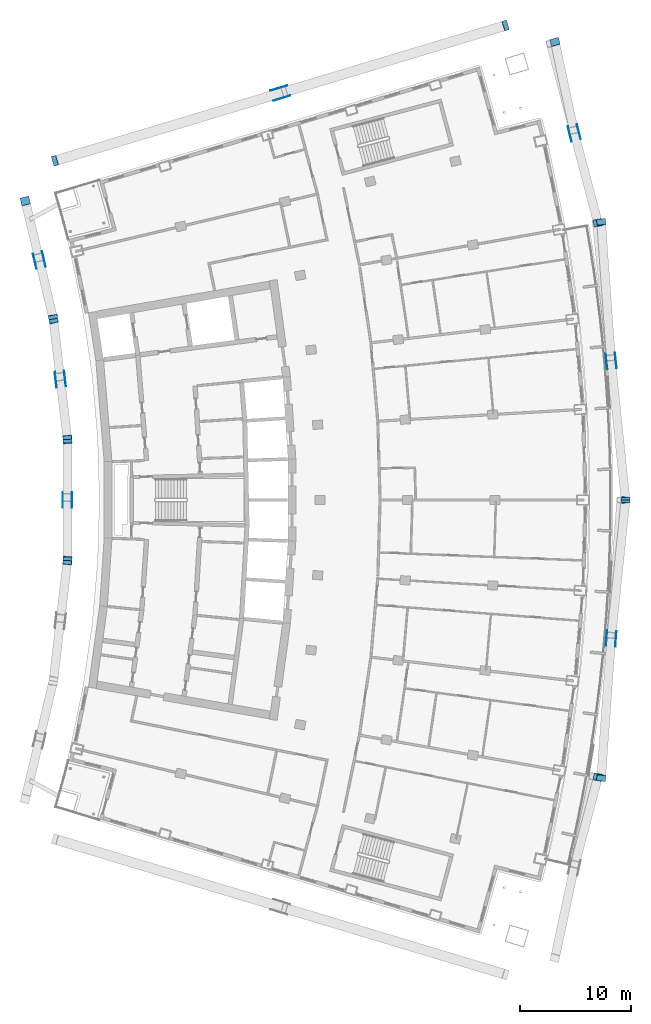
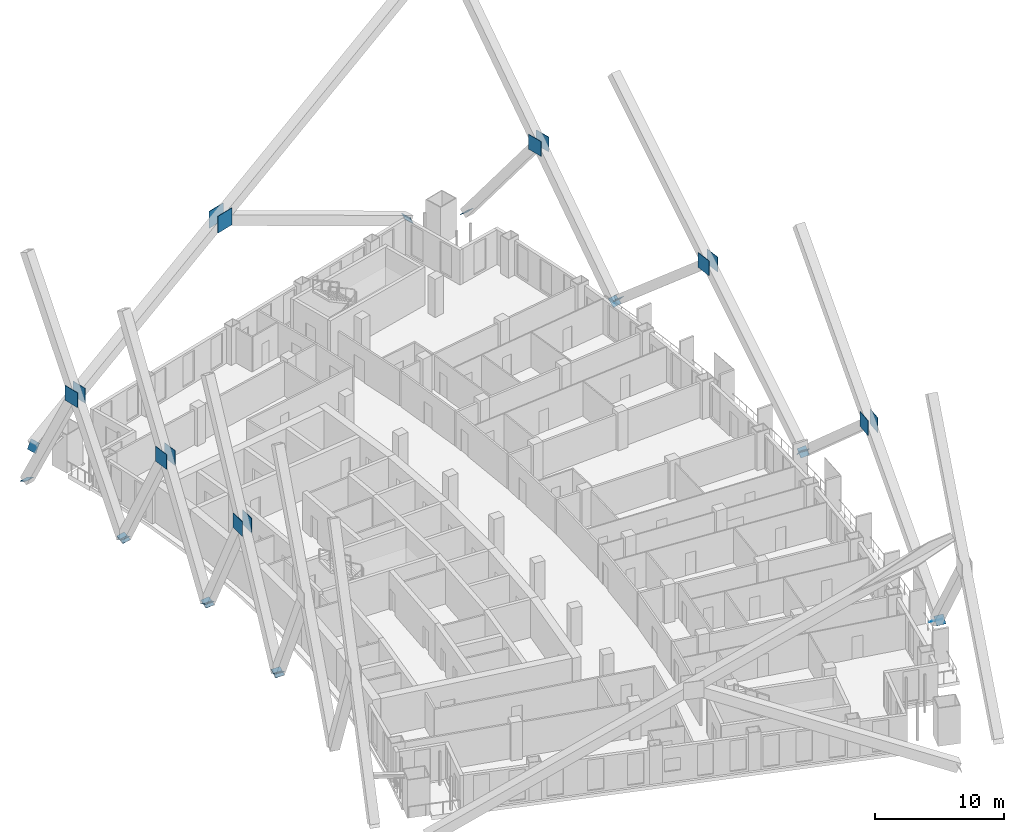
# One storey, part 19 of 22: 30 discrete accessories.
"""IFC4 building model written with IfcOpenShell, lengths in metres."""

from ifc_helpers import new_model, si_unit, direction, frame, origin, origin_2d, place, context, subcontext, project, spatial, rectangle, extrude, material, material_profile, profile_set, type_object, element, save


model = new_model("IFC4")

# Units and contexts
model_context = context("Model", 3, precision=1e-05, world=origin(), true_north=direction((0.0, 1.0)))
body_context = subcontext(model_context, "Body", "Model", "MODEL_VIEW")
ifc_project = project(units=[si_unit("LENGTHUNIT", "METRE"), si_unit("AREAUNIT", "SQUARE_METRE"), si_unit("VOLUMEUNIT", "CUBIC_METRE"), si_unit("PLANEANGLEUNIT", "RADIAN"), si_unit("MASSUNIT", "GRAM", prefix="KILO")], contexts=[model_context])

# Site, building, storey
site_placement = place(None, origin())
site = spatial("IfcSite", under=ifc_project, at=site_placement, CompositionType="ELEMENT")
building_placement = place(site_placement, origin())
building = spatial("IfcBuilding", under=site, at=building_placement, Name="Alderwake Tower", CompositionType="ELEMENT")
storey_placement = place(building_placement, frame((0.0, 0.0, 160.39990234375)))
storey = spatial("IfcBuildingStorey", under=building, at=storey_placement, Name="L39", CompositionType="ELEMENT", Elevation=160.39990234375)

# Discrete accessories
ifc_material_1 = material(Name="Steel ASTM A572 Grade 50", Category="steel")
ifc_material_profile_1 = material_profile(ifc_material_1, rectangle(XDim=0.800048828125, YDim=0.800048828125, at=origin_2d()), Name="BOX 800X800X50 cap")
ifc_profile_set_1 = profile_set([ifc_material_profile_1], Name="Steel ASTM A572 Grade 50")
discrete_accessory_type_1 = type_object("IfcDiscreteAccessoryType", Name="End cap plate BOX 800X800X50", PredefinedType="USERDEFINED", material=ifc_profile_set_1)
for number, where, z_axis, x_axis, name in (
    (1, (60.7548828125, 36.11328125, 0.0), (0.114002129998, 0.602582687135, 0.789871900704), (-0.982570245697, 0.185891668105, 0.0), "End cap BRF3.1.2A N"),
    (2, (63.23583984375, 61.0, 0.0), (0.048592953075, 0.753190772662, 0.656004866512), (-0.997925308968, 0.064382277998, 0.0), "End cap BRF3.1.4A N"),
):
    element("IfcDiscreteAccessory", number, at=place(storey_placement, frame(where, z_axis=z_axis, x_axis=x_axis)), inside=storey, type_object=discrete_accessory_type_1, Name=name, ObjectType="END CAP", PredefinedType="USERDEFINED", context=body_context, shape_type="SweptSolid", body=[
        extrude(rectangle(XDim=0.800048828125, YDim=0.800048828125, at=origin_2d()), origin(), (0.0, 0.0, 1.0), 0.030029296875),
    ])
for number, where, z_axis, x_axis, name in (
    (3, (61.048095703125, 36.0615234375, 0.0), (-0.088839773645, -0.751099904451, 0.654183787748), (0.993077521975, -0.117460782169, 0.0), "End cap BRF3.1.4B2 N"),
    (4, (61.048095703125, 85.9384765625, 0.0), (-0.088839773645, 0.751099904451, 0.654183787748), (-0.993077521975, -0.117460782169, 0.0), "End cap BRF3.1.7A N"),
):
    element("IfcDiscreteAccessory", number, at=place(storey_placement, frame(where, z_axis=z_axis, x_axis=x_axis)), inside=storey, type_object=discrete_accessory_type_1, Name=name, ObjectType="END CAP", PredefinedType="USERDEFINED", context=body_context, shape_type="SweptSolid", body=[
        extrude(rectangle(XDim=0.800048828125, YDim=0.800048828125, at=origin_2d()), origin(), (0.0, 0.0, 1.0), 0.0302734375),
    ])
for number, where, z_axis, x_axis, name in (
    (5, (63.23583984375, 61.0, 0.0), (0.048592953075, -0.753190772662, 0.656004866512), (0.997925308968, 0.064382277998, 0.0), "End cap BRF3.1.7B2 N"),
    (6, (56.9013671875, 102.101806640625, 0.0), (-0.17127028554, 0.587212407567, 0.791105604639), (-0.96, -0.28, 0.0), "End cap BRF3.1.10A N"),
    (7, (60.7548828125, 85.88671875, 0.0), (0.114002129998, -0.602582687135, 0.789871900704), (0.982570245697, 0.185891668105, 0.0), "End cap BRF3.1.10B2 N"),
    (8, (13.141357421875, 55.560546875, 0.0), (0.048728980643, 0.446682322562, 0.893364645123), (-0.994102176608, 0.108447510175, 0.0), "End cap BRR3.1.4A N"),
    (9, (13.141357421875, 66.439453125, 0.0), (0.0, 0.4472135955, 0.894427191), (-1.0, 0.0, 0.0), "End cap BRR3.1.6A N"),
    (10, (13.141357421875, 55.560546875, 0.0), (0.0, -0.4472135955, 0.894427191), (1.0, 0.0, 0.0), "End cap BRR3.1.6B2 N"),
    (11, (11.875, 77.244384765625, 0.0), (-0.056826119483, 0.446490938798, 0.892981877596), (-0.991997911724, -0.126254279674, 0.0), "End cap BRR3.1.8A N"),
    (12, (13.141357421875, 66.439453125, 0.0), (0.048728980643, -0.446682322562, 0.893364645123), (0.994102176608, 0.108447510175, 0.0), "End cap BRR3.1.8B2 N"),
    (13, (9.359619140625, 87.828369140625, 0.0), (-0.105869651339, 0.43162242469, 0.895820126716), (-0.971210844098, -0.238221527798, 0.0), "End cap BRR3.1.10A N"),
    (14, (11.875, 77.244384765625, 0.0), (0.105495990526, -0.438214114494, 0.892658381376), (0.972223637158, 0.234053838575, 0.0), "End cap BRR3.1.10B2 N"),
):
    element("IfcDiscreteAccessory", number, at=place(storey_placement, frame(where, z_axis=z_axis, x_axis=x_axis)), inside=storey, type_object=discrete_accessory_type_1, Name=name, ObjectType="END CAP", PredefinedType="USERDEFINED", context=body_context, shape_type="SweptSolid", body=[
        extrude(rectangle(XDim=0.800048828125, YDim=0.800048828125, at=origin_2d()), origin(), (0.0, 0.0, 1.0), 0.030029296875),
    ])
ifc_material_2 = material(Name="Steel ASTM A572 Grade 50", Category="steel")
ifc_material_profile_2 = material_profile(ifc_material_2, rectangle(XDim=0.89990234375, YDim=0.89990234375, at=origin_2d()), Name="BOX 900X900X55 cap")
ifc_profile_set_2 = profile_set([ifc_material_profile_2], Name="Steel ASTM A572 Grade 50")
discrete_accessory_type_2 = type_object("IfcDiscreteAccessoryType", Name="End cap plate BOX 900X900X55", PredefinedType="USERDEFINED", material=ifc_profile_set_2)
discrete_accessory_1_placement = place(storey_placement, frame((52.448974609375, 103.583984375, 0.0), z_axis=(0.848930175073, 0.258721577165, 0.460847809325), x_axis=(-0.291524108639, 0.95656348147, 0.0)))
element("IfcDiscreteAccessory", 15, at=discrete_accessory_1_placement, inside=storey, type_object=discrete_accessory_type_2, Name="End cap BRN3.1.0A N", ObjectType="END CAP", PredefinedType="USERDEFINED", context=body_context, shape_type="SweptSolid", body=[
    extrude(rectangle(XDim=0.89990234375, YDim=0.89990234375, at=origin_2d()), origin(), (0.0, 0.0, 1.0), 0.0302734375),
])
discrete_accessory_2_placement = place(storey_placement, frame((12.031005859375, 91.449462890625, 0.0), z_axis=(-0.853856093733, -0.252090846721, 0.455389916658), x_axis=(0.283155210121, -0.959074098796, 0.0)))
element("IfcDiscreteAccessory", 16, at=discrete_accessory_2_placement, inside=storey, type_object=discrete_accessory_type_2, Name="End cap BRN3.1.0B2 N", ObjectType="END CAP", PredefinedType="USERDEFINED", context=body_context, shape_type="SweptSolid", body=[
    extrude(rectangle(XDim=0.89990234375, YDim=0.89990234375, at=origin_2d()), origin(), (0.0, 0.0, 1.0), 0.030029296875),
])
ifc_material_3 = material(Name="Steel ASTM A572 Grade 50", Category="steel")
ifc_material_profile_3 = material_profile(ifc_material_3, rectangle(XDim=1.39990234375, YDim=1.39990234375, at=origin_2d()), Name="gusset 1400X1400")
ifc_profile_set_3 = profile_set([ifc_material_profile_3], Name="Steel ASTM A572 Grade 50")
discrete_accessory_type_3 = type_object("IfcDiscreteAccessoryType", Name="Gusset plate 1400X1400X40", PredefinedType="USERDEFINED", material=ifc_profile_set_3)
discrete_accessory_3_placement = place(storey_placement, frame((62.34326171875, 48.537109375, 10.800048828125), z_axis=(0.997333723592, -0.072975638312, 0.0), x_axis=(0.072975638312, 0.997333723592, 0.0)))
element("IfcDiscreteAccessory", 17, at=discrete_accessory_3_placement, inside=storey, type_object=discrete_accessory_type_3, Name="Gusset plate BRF3.2.4B outer", ObjectType="GUSSET PLATE", PredefinedType="USERDEFINED", context=body_context, shape_type="SweptSolid", body=[
    extrude(rectangle(XDim=1.39990234375, YDim=1.39990234375, at=origin_2d()), origin(), (0.0, 0.0, 1.0), 0.0400390625),
])
discrete_accessory_4_placement = place(storey_placement, frame((61.54541015625, 48.59423828125, 10.800048828125), z_axis=(-0.997301040923, 0.073420935528, 0.0), x_axis=(-0.073420935528, -0.997301040923, 0.0)))
element("IfcDiscreteAccessory", 18, at=discrete_accessory_4_placement, inside=storey, type_object=discrete_accessory_type_3, Name="Gusset plate BRF3.2.4B inner", ObjectType="GUSSET PLATE", PredefinedType="USERDEFINED", context=body_context, shape_type="SweptSolid", body=[
    extrude(rectangle(XDim=1.39990234375, YDim=1.39990234375, at=origin_2d()), origin(), (0.0, 0.0, 1.0), 0.039794921875),
])
for number, where, z_axis, x_axis, name in (
    (19, (62.339111328125, 73.510498046875, 10.800048828125), (0.99460530117, 0.103731841226, 0.0), (-0.103731841226, 0.99460530117, 0.0), "Gusset plate BRF3.2.7B outer"),
    (20, (61.54345703125, 73.427978515625, 10.800048828125), (-0.99460530117, -0.103731841226, 0.0), (0.103731841226, -0.99460530117, 0.0), "Gusset plate BRF3.2.7B inner"),
    (21, (59.017578125, 94.06103515625, 10.800048828125), (0.966837822169, 0.255391122837, 0.0), (-0.255391122837, 0.966837822169, 0.0), "Gusset plate BRF3.2.10B outer"),
    (22, (58.244140625, 93.857421875, 10.800048828125), (-0.968324838627, -0.249693826313, 0.0), (0.249693826313, -0.968324838627, 0.0), "Gusset plate BRF3.2.10B inner"),
    (23, (13.541259765625, 61.0, 10.800048828125), (1.0, 0.0, 0.0), (0.0, 1.0, 0.0), "Gusset plate BRR3.2.6B outer"),
):
    element("IfcDiscreteAccessory", number, at=place(storey_placement, frame(where, z_axis=z_axis, x_axis=x_axis)), inside=storey, type_object=discrete_accessory_type_3, Name=name, ObjectType="GUSSET PLATE", PredefinedType="USERDEFINED", context=body_context, shape_type="SweptSolid", body=[
        extrude(rectangle(XDim=1.39990234375, YDim=1.39990234375, at=origin_2d()), origin(), (0.0, 0.0, 1.0), 0.0400390625),
    ])
for number, where, z_axis, x_axis, name in (
    (24, (12.7412109375, 61.0, 10.800048828125), (-1.0, 0.0, 0.0), (0.0, -1.0, 0.0), "Gusset plate BRR3.2.6B inner"),
    (25, (12.905517578125, 71.888427734375, 10.800048828125), (0.993192389202, 0.116485527129, 0.0), (-0.116485527129, 0.993192389202, 0.0), "Gusset plate BRR3.2.8B outer"),
    (26, (12.11083984375, 71.79541015625, 10.800048828125), (-0.992465233221, -0.122526572003, 0.0), (0.122526572003, -0.992465233221, 0.0), "Gusset plate BRR3.2.8B inner"),
    (27, (11.006591796875, 82.62890625, 10.800048828125), (0.973976588012, 0.226648639978, 0.0), (-0.226648639978, 0.973976588012, 0.0), "Gusset plate BRR3.2.10B outer"),
    (28, (10.22802734375, 82.44384765625, 10.800048828125), (-0.972608962829, -0.232447425079, 0.0), (0.232447425079, -0.972608962829, 0.0), "Gusset plate BRR3.2.10B inner"),
):
    element("IfcDiscreteAccessory", number, at=place(storey_placement, frame(where, z_axis=z_axis, x_axis=x_axis)), inside=storey, type_object=discrete_accessory_type_3, Name=name, ObjectType="GUSSET PLATE", PredefinedType="USERDEFINED", context=body_context, shape_type="SweptSolid", body=[
        extrude(rectangle(XDim=1.39990234375, YDim=1.39990234375, at=origin_2d()), origin(), (0.0, 0.0, 1.0), 0.039794921875),
    ])
ifc_material_4 = material(Name="Steel ASTM A572 Grade 50", Category="steel")
ifc_material_profile_4 = material_profile(ifc_material_4, rectangle(XDim=1.60009765625, YDim=1.60009765625, at=origin_2d()), Name="gusset 1600X1600")
ifc_profile_set_4 = profile_set([ifc_material_profile_4], Name="Steel ASTM A572 Grade 50")
discrete_accessory_type_4 = type_object("IfcDiscreteAccessoryType", Name="Gusset plate 1600X1600X40", PredefinedType="USERDEFINED", material=ifc_profile_set_4)
discrete_accessory_5_placement = place(storey_placement, frame((32.110595703125, 97.94775390625, 10.800048828125), z_axis=(-0.286788031626, 0.95799406309, 0.0), x_axis=(-0.95799406309, -0.286788031626, 0.0)))
element("IfcDiscreteAccessory", 29, at=discrete_accessory_5_placement, inside=storey, type_object=discrete_accessory_type_4, Name="Gusset plate BRN3.2.0B outer", ObjectType="GUSSET PLATE", PredefinedType="USERDEFINED", context=body_context, shape_type="SweptSolid", body=[
    extrude(rectangle(XDim=1.60009765625, YDim=1.60009765625, at=origin_2d()), origin(), (0.0, 0.0, 1.0), 0.0400390625),
])
discrete_accessory_6_placement = place(storey_placement, frame((32.369384765625, 97.085693359375, 10.800048828125), z_axis=(0.288473878152, -0.957487765783, 0.0), x_axis=(0.957487765783, 0.288473878152, 0.0)))
element("IfcDiscreteAccessory", 30, at=discrete_accessory_6_placement, inside=storey, type_object=discrete_accessory_type_4, Name="Gusset plate BRN3.2.0B inner", ObjectType="GUSSET PLATE", PredefinedType="USERDEFINED", context=body_context, shape_type="SweptSolid", body=[
    extrude(rectangle(XDim=1.60009765625, YDim=1.60009765625, at=origin_2d()), origin(), (0.0, 0.0, 1.0), 0.039794921875),
])

save(model, "model.ifc")
